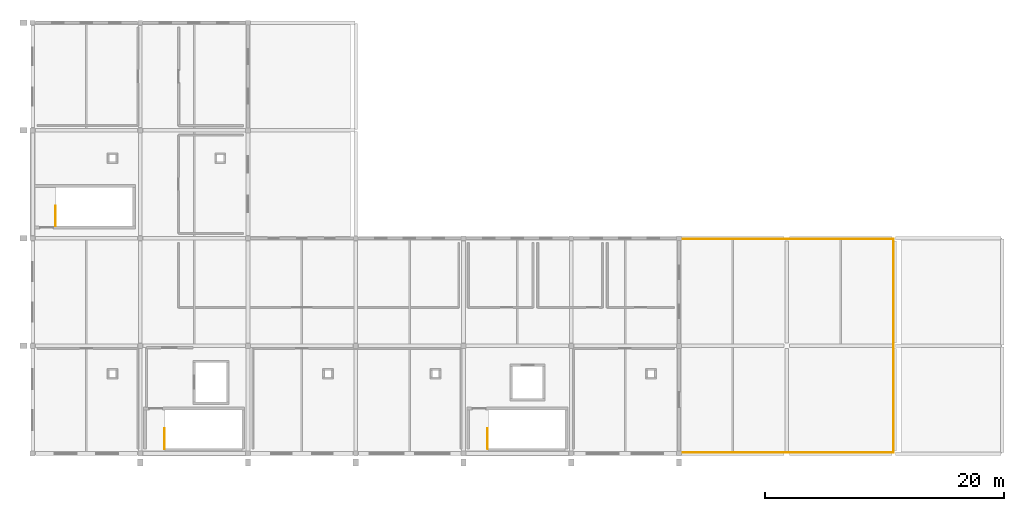
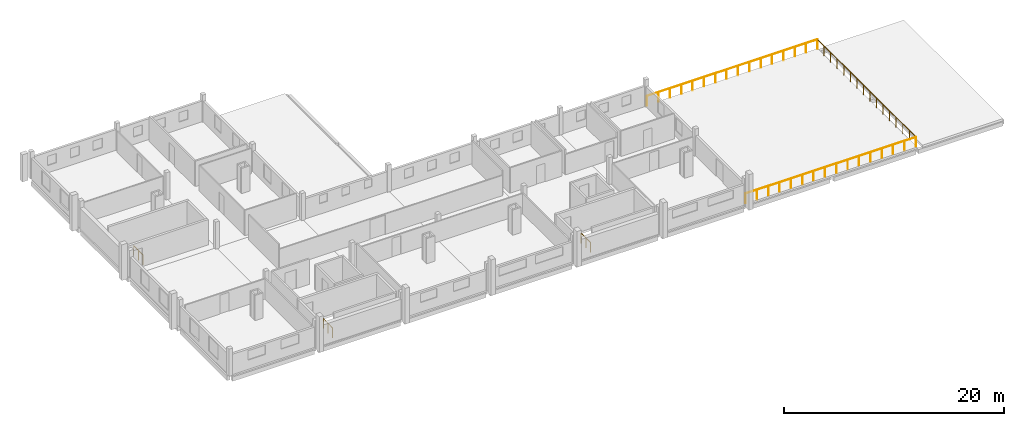
# One storey, part 6 of 6: 6 railings.
"""IFC4 building model written with IfcOpenShell, lengths in metres."""

from ifc_helpers import new_model, si_unit, direction, frame, origin, origin_2d, place, context, subcontext, project, spatial, circle, extrude, material, type_object, element, save


model = new_model("IFC4")

# Units and contexts
model_context = context("Model", 3, precision=1e-05, world=origin(), true_north=direction((0.0, 1.0)))
body_context = subcontext(model_context, "Body", "Model", "MODEL_VIEW")
ifc_project = project(units=[si_unit("LENGTHUNIT", "METRE"), si_unit("AREAUNIT", "SQUARE_METRE"), si_unit("VOLUMEUNIT", "CUBIC_METRE"), si_unit("PLANEANGLEUNIT", "RADIAN"), si_unit("MASSUNIT", "GRAM", prefix="KILO")], contexts=[model_context])

# Site, building, storey
site_placement = place(None, origin())
site = spatial("IfcSite", under=ifc_project, at=site_placement, CompositionType="ELEMENT")
building_placement = place(site_placement, origin())
building = spatial("IfcBuilding", under=site, at=building_placement, Name="Tharagai Park Tramway Depot", CompositionType="ELEMENT")
storey_placement = place(building_placement, frame((0.0, 0.0, 15.0)))
storey = spatial("IfcBuildingStorey", under=building, at=storey_placement, Name="L04", CompositionType="ELEMENT", Elevation=15.0)

# Railings
ifc_material = material(Name="Galvanised steel", Category="steel")
railing_type_1 = type_object("IfcRailingType", Name="GR-01", PredefinedType="BALUSTRADE", material=ifc_material)
railing_1_placement = place(storey_placement, frame((54.080078125, 0.080078125, 0.0)))
element("IfcRailing", 1, at=railing_1_placement, inside=storey, type_object=railing_type_1, Name="Crown Belvedere Terrace Perimeter Guard S", PredefinedType="BALUSTRADE", context=body_context, shape_type="SweptSolid", body=[
    extrude(circle(Radius=0.02392578125, at=origin_2d()), frame((0.0, 0.0, 1.076171875), z_axis=(1.0, 0.0, 0.0), x_axis=(0.0, 1.0, 0.0)), (0.0, 0.0, 1.0), 17.83984375),
    extrude(circle(Radius=0.02099609375, at=origin_2d()), origin(), (0.0, 0.0, 1.0), 1.052001953125),
    extrude(circle(Radius=0.02099609375, at=origin_2d()), frame((1.189208984375, 0.0, 0.0)), (0.0, 0.0, 1.0), 1.052001953125),
    extrude(circle(Radius=0.02099609375, at=origin_2d()), frame((2.378662109375, 0.0, 0.0)), (0.0, 0.0, 1.0), 1.052001953125),
    extrude(circle(Radius=0.02099609375, at=origin_2d()), frame((3.56787109375, 0.0, 0.0)), (0.0, 0.0, 1.0), 1.052001953125),
    extrude(circle(Radius=0.02099609375, at=origin_2d()), frame((4.75732421875, 0.0, 0.0)), (0.0, 0.0, 1.0), 1.052001953125),
    extrude(circle(Radius=0.02099609375, at=origin_2d()), frame((5.946533203125, 0.0, 0.0)), (0.0, 0.0, 1.0), 1.052001953125),
    extrude(circle(Radius=0.02099609375, at=origin_2d()), frame((7.135986328125, 0.0, 0.0)), (0.0, 0.0, 1.0), 1.052001953125),
    extrude(circle(Radius=0.02099609375, at=origin_2d()), frame((8.3251953125, 0.0, 0.0)), (0.0, 0.0, 1.0), 1.052001953125),
    extrude(circle(Radius=0.02099609375, at=origin_2d()), frame((9.5146484375, 0.0, 0.0)), (0.0, 0.0, 1.0), 1.052001953125),
    extrude(circle(Radius=0.02099609375, at=origin_2d()), frame((10.703857421875, 0.0, 0.0)), (0.0, 0.0, 1.0), 1.052001953125),
    extrude(circle(Radius=0.02099609375, at=origin_2d()), frame((11.893310546875, 0.0, 0.0)), (0.0, 0.0, 1.0), 1.052001953125),
    extrude(circle(Radius=0.02099609375, at=origin_2d()), frame((13.08251953125, 0.0, 0.0)), (0.0, 0.0, 1.0), 1.052001953125),
    extrude(circle(Radius=0.02099609375, at=origin_2d()), frame((14.27197265625, 0.0, 0.0)), (0.0, 0.0, 1.0), 1.052001953125),
    extrude(circle(Radius=0.02099609375, at=origin_2d()), frame((15.461181640625, 0.0, 0.0)), (0.0, 0.0, 1.0), 1.052001953125),
    extrude(circle(Radius=0.02099609375, at=origin_2d()), frame((16.650634765625, 0.0, 0.0)), (0.0, 0.0, 1.0), 1.052001953125),
    extrude(circle(Radius=0.02099609375, at=origin_2d()), frame((17.83984375, 0.0, 0.0)), (0.0, 0.0, 1.0), 1.052001953125),
])
railing_2_placement = place(storey_placement, frame((54.080078125, 17.919921875, 0.0)))
element("IfcRailing", 2, at=railing_2_placement, inside=storey, type_object=railing_type_1, Name="Crown Belvedere Terrace Perimeter Guard N", PredefinedType="BALUSTRADE", context=body_context, shape_type="SweptSolid", body=[
    extrude(circle(Radius=0.02392578125, at=origin_2d()), frame((0.0, 0.0, 1.076171875), z_axis=(1.0, 0.0, 0.0), x_axis=(0.0, 1.0, 0.0)), (0.0, 0.0, 1.0), 17.83984375),
    extrude(circle(Radius=0.02099609375, at=origin_2d()), origin(), (0.0, 0.0, 1.0), 1.052001953125),
    extrude(circle(Radius=0.02099609375, at=origin_2d()), frame((1.189208984375, 0.0, 0.0)), (0.0, 0.0, 1.0), 1.052001953125),
    extrude(circle(Radius=0.02099609375, at=origin_2d()), frame((2.378662109375, 0.0, 0.0)), (0.0, 0.0, 1.0), 1.052001953125),
    extrude(circle(Radius=0.02099609375, at=origin_2d()), frame((3.56787109375, 0.0, 0.0)), (0.0, 0.0, 1.0), 1.052001953125),
    extrude(circle(Radius=0.02099609375, at=origin_2d()), frame((4.75732421875, 0.0, 0.0)), (0.0, 0.0, 1.0), 1.052001953125),
    extrude(circle(Radius=0.02099609375, at=origin_2d()), frame((5.946533203125, 0.0, 0.0)), (0.0, 0.0, 1.0), 1.052001953125),
    extrude(circle(Radius=0.02099609375, at=origin_2d()), frame((7.135986328125, 0.0, 0.0)), (0.0, 0.0, 1.0), 1.052001953125),
    extrude(circle(Radius=0.02099609375, at=origin_2d()), frame((8.3251953125, 0.0, 0.0)), (0.0, 0.0, 1.0), 1.052001953125),
    extrude(circle(Radius=0.02099609375, at=origin_2d()), frame((9.5146484375, 0.0, 0.0)), (0.0, 0.0, 1.0), 1.052001953125),
    extrude(circle(Radius=0.02099609375, at=origin_2d()), frame((10.703857421875, 0.0, 0.0)), (0.0, 0.0, 1.0), 1.052001953125),
    extrude(circle(Radius=0.02099609375, at=origin_2d()), frame((11.893310546875, 0.0, 0.0)), (0.0, 0.0, 1.0), 1.052001953125),
    extrude(circle(Radius=0.02099609375, at=origin_2d()), frame((13.08251953125, 0.0, 0.0)), (0.0, 0.0, 1.0), 1.052001953125),
    extrude(circle(Radius=0.02099609375, at=origin_2d()), frame((14.27197265625, 0.0, 0.0)), (0.0, 0.0, 1.0), 1.052001953125),
    extrude(circle(Radius=0.02099609375, at=origin_2d()), frame((15.461181640625, 0.0, 0.0)), (0.0, 0.0, 1.0), 1.052001953125),
    extrude(circle(Radius=0.02099609375, at=origin_2d()), frame((16.650634765625, 0.0, 0.0)), (0.0, 0.0, 1.0), 1.052001953125),
    extrude(circle(Radius=0.02099609375, at=origin_2d()), frame((17.83984375, 0.0, 0.0)), (0.0, 0.0, 1.0), 1.052001953125),
])
railing_3_placement = place(storey_placement, frame((71.919921875, 0.080078125, 0.0)))
element("IfcRailing", 3, at=railing_3_placement, inside=storey, type_object=railing_type_1, Name="Crown Belvedere Terrace Perimeter Guard E", PredefinedType="BALUSTRADE", context=body_context, shape_type="SweptSolid", body=[
    extrude(circle(Radius=0.02392578125, at=origin_2d()), frame((0.0, 0.0, 1.076171875), z_axis=(0.0, 1.0, 0.0), x_axis=(-1.0, 0.0, 0.0)), (0.0, 0.0, 1.0), 17.83984375),
    extrude(circle(Radius=0.02099609375, at=origin_2d()), origin(), (0.0, 0.0, 1.0), 1.052001953125),
    extrude(circle(Radius=0.02099609375, at=origin_2d()), frame((0.0, 1.189208984375, 0.0)), (0.0, 0.0, 1.0), 1.052001953125),
    extrude(circle(Radius=0.02099609375, at=origin_2d()), frame((0.0, 2.378662109375, 0.0)), (0.0, 0.0, 1.0), 1.052001953125),
    extrude(circle(Radius=0.02099609375, at=origin_2d()), frame((0.0, 3.56787109375, 0.0)), (0.0, 0.0, 1.0), 1.052001953125),
    extrude(circle(Radius=0.02099609375, at=origin_2d()), frame((0.0, 4.75732421875, 0.0)), (0.0, 0.0, 1.0), 1.052001953125),
    extrude(circle(Radius=0.02099609375, at=origin_2d()), frame((0.0, 5.946533203125, 0.0)), (0.0, 0.0, 1.0), 1.052001953125),
    extrude(circle(Radius=0.02099609375, at=origin_2d()), frame((0.0, 7.135986328125, 0.0)), (0.0, 0.0, 1.0), 1.052001953125),
    extrude(circle(Radius=0.02099609375, at=origin_2d()), frame((0.0, 8.3251953125, 0.0)), (0.0, 0.0, 1.0), 1.052001953125),
    extrude(circle(Radius=0.02099609375, at=origin_2d()), frame((0.0, 9.5146484375, 0.0)), (0.0, 0.0, 1.0), 1.052001953125),
    extrude(circle(Radius=0.02099609375, at=origin_2d()), frame((0.0, 10.703857421875, 0.0)), (0.0, 0.0, 1.0), 1.052001953125),
    extrude(circle(Radius=0.02099609375, at=origin_2d()), frame((0.0, 11.893310546875, 0.0)), (0.0, 0.0, 1.0), 1.052001953125),
    extrude(circle(Radius=0.02099609375, at=origin_2d()), frame((0.0, 13.08251953125, 0.0)), (0.0, 0.0, 1.0), 1.052001953125),
    extrude(circle(Radius=0.02099609375, at=origin_2d()), frame((0.0, 14.27197265625, 0.0)), (0.0, 0.0, 1.0), 1.052001953125),
    extrude(circle(Radius=0.02099609375, at=origin_2d()), frame((0.0, 15.461181640625, 0.0)), (0.0, 0.0, 1.0), 1.052001953125),
    extrude(circle(Radius=0.02099609375, at=origin_2d()), frame((0.0, 16.650634765625, 0.0)), (0.0, 0.0, 1.0), 1.052001953125),
    extrude(circle(Radius=0.02099609375, at=origin_2d()), frame((0.0, 17.83984375, 0.0)), (0.0, 0.0, 1.0), 1.052001953125),
])
railing_type_2 = type_object("IfcRailingType", Name="HR-02", PredefinedType="GUARDRAIL", material=ifc_material)
for number, where, name in (
    (4, (11.02001953125, 0.39990234375, 0.0), "L04 ST-01 top well guard 1"),
    (5, (38.02001953125, 0.39990234375, 0.0), "L04 ST-02 top well guard 1"),
):
    element("IfcRailing", number, at=place(storey_placement, frame(where)), inside=storey, type_object=railing_type_2, Name=name, PredefinedType="GUARDRAIL", context=body_context, shape_type="SweptSolid", body=[
        extrude(circle(Radius=0.02392578125, at=origin_2d()), frame((0.0, 0.0, 1.076171875), z_axis=(0.0, 1.0, 0.0), x_axis=(-1.0, 0.0, 0.0)), (0.0, 0.0, 1.0), 1.7001953125),
        extrude(circle(Radius=0.02099609375, at=origin_2d()), origin(), (0.0, 0.0, 1.0), 1.052001953125),
        extrude(circle(Radius=0.02099609375, at=origin_2d()), frame((0.0, 0.85009765625, 0.0)), (0.0, 0.0, 1.0), 1.052001953125),
        extrude(circle(Radius=0.02099609375, at=origin_2d()), frame((0.0, 1.7001953125, 0.0)), (0.0, 0.0, 1.0), 1.052001953125),
    ])
railing_4_placement = place(storey_placement, frame((1.89990234375, 19.0, 0.0)))
element("IfcRailing", 6, at=railing_4_placement, inside=storey, type_object=railing_type_2, Name="L04 ST-03 top well guard 1", PredefinedType="GUARDRAIL", context=body_context, shape_type="SweptSolid", body=[
    extrude(circle(Radius=0.02392578125, at=origin_2d()), frame((0.0, 0.0, 1.076171875), z_axis=(0.0, 1.0, 0.0), x_axis=(-1.0, 0.0, 0.0)), (0.0, 0.0, 1.0), 1.699951171875),
    extrude(circle(Radius=0.02099609375, at=origin_2d()), origin(), (0.0, 0.0, 1.0), 1.052001953125),
    extrude(circle(Radius=0.02099609375, at=origin_2d()), frame((0.0, 0.85009765625, 0.0)), (0.0, 0.0, 1.0), 1.052001953125),
    extrude(circle(Radius=0.02099609375, at=origin_2d()), frame((0.0, 1.699951171875, 0.0)), (0.0, 0.0, 1.0), 1.052001953125),
])

save(model, "model.ifc")
